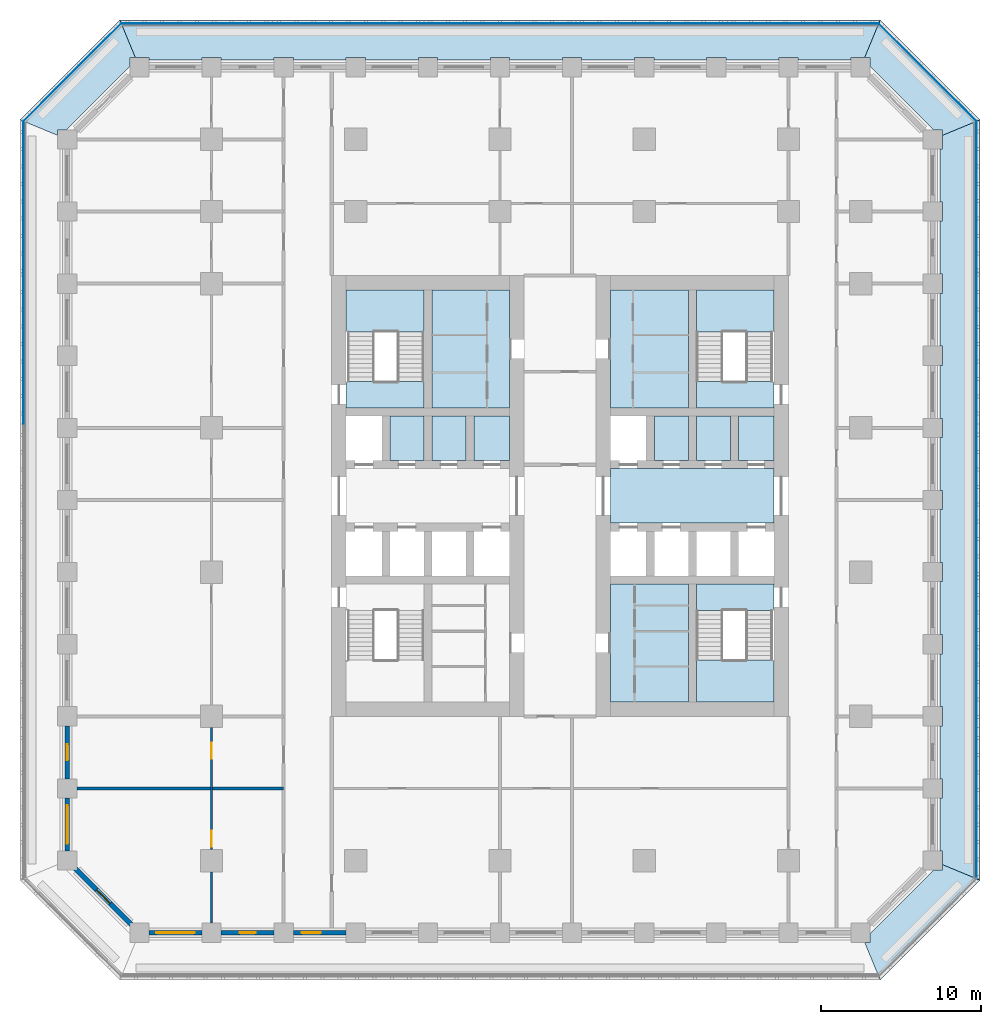
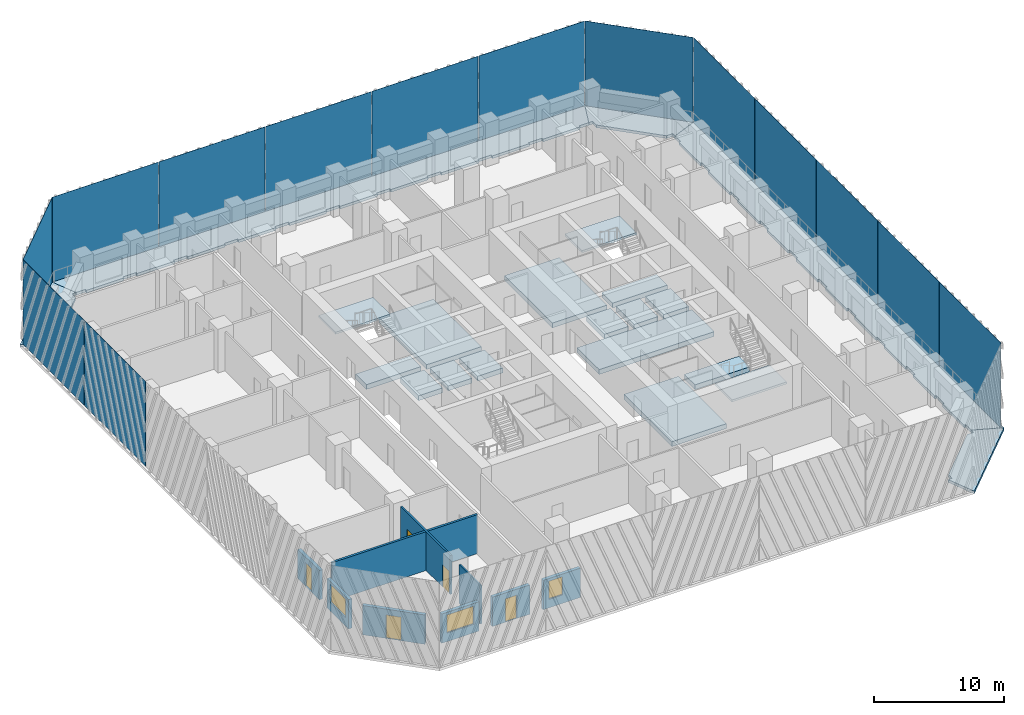
# One storey, part 2 of 19: 21 slabs, 14 plates, 9 walls, 5 doors, 3 windows, 8 openings, 3 elements without a shape of their own.
"""IFC4 building model written with IfcOpenShell, lengths in metres."""

from ifc_helpers import new_model, si_unit, direction, frame, frame_2d, origin, origin_2d, place, context, subcontext, project, spatial, polyline, rectangle, outline, extrude, material, layer, layer_set, type_object, element, fill, aggregate, save


model = new_model("IFC4")

# Units and contexts
model_context = context("Model", 3, precision=1e-05, world=origin(), true_north=direction((0.0, 1.0)))
body_context = subcontext(model_context, "Body", "Model", "MODEL_VIEW")
ifc_project = project(units=[si_unit("LENGTHUNIT", "METRE"), si_unit("AREAUNIT", "SQUARE_METRE"), si_unit("VOLUMEUNIT", "CUBIC_METRE"), si_unit("PLANEANGLEUNIT", "RADIAN"), si_unit("MASSUNIT", "GRAM", prefix="KILO")], contexts=[model_context])

# Site, building, storey
site_placement = place(None, origin())
site = spatial("IfcSite", under=ifc_project, at=site_placement, CompositionType="ELEMENT")
building_placement = place(site_placement, origin())
building = spatial("IfcBuilding", under=site, at=building_placement, Name="Corbel Stack Research Tower", CompositionType="ELEMENT")
storey_placement = place(building_placement, frame((0.0, 0.0, 124.89990234375)))
storey = spatial("IfcBuildingStorey", under=building, at=storey_placement, Name="L28", CompositionType="ELEMENT", Elevation=124.89990234375)

# Plates
ifc_material_1 = material(Name="Fritted glass", Category="glass")
ifc_layer_1 = layer(ifc_material_1, 0.02490234375)
ifc_layer_set_1 = layer_set([ifc_layer_1], Name="Fritted glass")
plate_type = type_object("IfcPlateType", Name="Fritted glass panel 25", PredefinedType="SHEET", material=ifc_layer_set_1)
for number, where, z_axis, x_axis, name in (
    (1, (29.737548828125, -14.411376953125, 0.0), (0.0, 0.0, 1.0), (0.0, 1.0, 0.0), "Fritted glass L28 E1"),
    (2, (29.737548828125, -4.95556640625, 0.0), (0.0, 0.0, 1.0), (0.0, 1.0, 0.0), "Fritted glass L28 E2"),
    (3, (29.737548828125, 4.5, 0.0), (0.0, 0.0, 1.0), (0.0, 1.0, 0.0), "Fritted glass L28 E3"),
    (4, (29.737548828125, 13.95556640625, 0.0), (0.0, 0.0, 1.0), (0.0, 1.0, 0.0), "Fritted glass L28 E4"),
    (5, (29.737548828125, 23.411376953125, 0.0), (0.0, 0.0, 1.0), (0.0, 1.0, 0.0), "Fritted glass L28 E5"),
):
    element("IfcPlate", number, at=place(storey_placement, frame(where, z_axis=z_axis, x_axis=x_axis)), inside=storey, type_object=plate_type, Name=name, PredefinedType="SHEET", context=body_context, shape_type="SweptSolid", body=[
        extrude(rectangle(XDim=9.3955078125, YDim=0.02490234375, at=origin_2d()), origin(), (0.0, 0.0, 1.0), 7.949951171875),
    ])
plate_1_placement = place(storey_placement, frame((26.685791015625, 31.185791015625, 0.0), z_axis=(0.0, 0.0, 1.0), x_axis=(-0.707106781187, 0.707106781187, 0.0)))
element("IfcPlate", 6, at=plate_1_placement, inside=storey, type_object=plate_type, Name="Fritted glass L28 NE1", PredefinedType="SHEET", context=body_context, shape_type="SweptSolid", body=[
    extrude(rectangle(XDim=8.58203125, YDim=0.02490234375, at=origin_2d()), origin(), (0.0, 0.0, 1.0), 7.949951171875),
])
for number, where, z_axis, x_axis, name in (
    (7, (18.911376953125, 34.237548828125, 0.0), (0.0, 0.0, 1.0), (-1.0, 0.0, 0.0), "Fritted glass L28 N1"),
    (8, (9.45556640625, 34.237548828125, 0.0), (0.0, 0.0, 1.0), (-1.0, 0.0, 0.0), "Fritted glass L28 N2"),
    (9, (0.0, 34.237548828125, 0.0), (0.0, 0.0, 1.0), (-1.0, 0.0, 0.0), "Fritted glass L28 N3"),
    (10, (-9.45556640625, 34.237548828125, 0.0), (0.0, 0.0, 1.0), (-1.0, 0.0, 0.0), "Fritted glass L28 N4"),
    (11, (-18.911376953125, 34.237548828125, 0.0), (0.0, 0.0, 1.0), (-1.0, 0.0, 0.0), "Fritted glass L28 N5"),
):
    element("IfcPlate", number, at=place(storey_placement, frame(where, z_axis=z_axis, x_axis=x_axis)), inside=storey, type_object=plate_type, Name=name, PredefinedType="SHEET", context=body_context, shape_type="SweptSolid", body=[
        extrude(rectangle(XDim=9.3955078125, YDim=0.02490234375, at=origin_2d()), origin(), (0.0, 0.0, 1.0), 7.949951171875),
    ])
plate_2_placement = place(storey_placement, frame((-26.685791015625, 31.185791015625, 0.0), z_axis=(0.0, 0.0, 1.0), x_axis=(-0.707106781187, -0.707106781187, 0.0)))
element("IfcPlate", 12, at=plate_2_placement, inside=storey, type_object=plate_type, Name="Fritted glass L28 NW1", PredefinedType="SHEET", context=body_context, shape_type="SweptSolid", body=[
    extrude(rectangle(XDim=8.58203125, YDim=0.02490234375, at=origin_2d()), origin(), (0.0, 0.0, 1.0), 7.949951171875),
])
for number, where, z_axis, x_axis, name in (
    (13, (-29.737548828125, 23.411376953125, 0.0), (0.0, 0.0, 1.0), (0.0, -1.0, 0.0), "Fritted glass L28 W1"),
    (14, (-29.737548828125, 13.95556640625, 0.0), (0.0, 0.0, 1.0), (0.0, -1.0, 0.0), "Fritted glass L28 W2"),
):
    element("IfcPlate", number, at=place(storey_placement, frame(where, z_axis=z_axis, x_axis=x_axis)), inside=storey, type_object=plate_type, Name=name, PredefinedType="SHEET", context=body_context, shape_type="SweptSolid", body=[
        extrude(rectangle(XDim=9.3955078125, YDim=0.02490234375, at=origin_2d()), origin(), (0.0, 0.0, 1.0), 7.949951171875),
    ])

# Slabs
ifc_material_2 = material(Name="Concrete C45/55", Category="concrete")
ifc_layer_2 = layer(ifc_material_2, 0.25)
ifc_layer_set_2 = layer_set([ifc_layer_2], Name="Concrete C45/55")
slab_type_1 = type_object("IfcSlabType", Name="PT balcony slab 250 C45/55", PredefinedType="FLOOR", material=ifc_layer_set_2)
slab_1_placement = place(storey_placement, frame((0.0, 0.0, -0.25)))
element("IfcSlab", 15, at=slab_1_placement, inside=storey, type_object=slab_type_1, Name="Loggia slab L28 SE", PredefinedType="FLOOR", context=body_context, shape_type="SweptSolid", body=[
    extrude(outline(polyline([(27.60009765625, -18.24853515625), (27.60009765625, -18.60009765625), (27.036376953125, -18.60009765625), (23.10009765625, -22.536376953125), (23.10009765625, -23.10009765625), (22.74853515625, -23.10009765625), (23.721923828125, -25.449951171875), (29.949951171875, -19.221923828125), (27.60009765625, -18.24853515625)])), origin(), (0.0, 0.0, 1.0), 0.25),
])
slab_2_placement = place(storey_placement, frame((0.0, 0.0, -0.25)))
element("IfcSlab", 16, at=slab_2_placement, inside=storey, type_object=slab_type_1, Name="Loggia slab L28 E", PredefinedType="FLOOR", context=body_context, shape_type="SweptSolid", body=[
    extrude(outline(polyline([(27.60009765625, 27.24853515625), (27.60009765625, 26.39990234375), (27.449951171875, 26.39990234375), (27.449951171875, 23.10009765625), (27.60009765625, 23.10009765625), (27.60009765625, 21.89990234375), (27.449951171875, 21.89990234375), (27.449951171875, 18.60009765625), (27.60009765625, 18.60009765625), (27.60009765625, 17.39990234375), (27.449951171875, 17.39990234375), (27.449951171875, 14.10009765625), (27.60009765625, 14.10009765625), (27.60009765625, 12.89990234375), (27.449951171875, 12.89990234375), (27.449951171875, 9.60009765625), (27.60009765625, 9.60009765625), (27.60009765625, 8.39990234375), (27.449951171875, 8.39990234375), (27.449951171875, 5.10009765625), (27.60009765625, 5.10009765625), (27.60009765625, 3.89990234375), (27.449951171875, 3.89990234375), (27.449951171875, 0.60009765625), (27.60009765625, 0.60009765625), (27.60009765625, -0.60009765625), (27.449951171875, -0.60009765625), (27.449951171875, -3.89990234375), (27.60009765625, -3.89990234375), (27.60009765625, -5.10009765625), (27.449951171875, -5.10009765625), (27.449951171875, -8.39990234375), (27.60009765625, -8.39990234375), (27.60009765625, -9.60009765625), (27.449951171875, -9.60009765625), (27.449951171875, -12.89990234375), (27.60009765625, -12.89990234375), (27.60009765625, -14.10009765625), (27.449951171875, -14.10009765625), (27.449951171875, -17.39990234375), (27.60009765625, -17.39990234375), (27.60009765625, -18.24853515625), (29.949951171875, -19.221923828125), (29.949951171875, 28.221923828125), (27.60009765625, 27.24853515625)])), origin(), (0.0, 0.0, 1.0), 0.25),
])
slab_3_placement = place(storey_placement, frame((0.0, 0.0, -0.25)))
element("IfcSlab", 17, at=slab_3_placement, inside=storey, type_object=slab_type_1, Name="Loggia slab L28 NE", PredefinedType="FLOOR", context=body_context, shape_type="SweptSolid", body=[
    extrude(outline(polyline([(22.74853515625, 32.10009765625), (23.10009765625, 32.10009765625), (23.10009765625, 31.536376953125), (27.036376953125, 27.60009765625), (27.60009765625, 27.60009765625), (27.60009765625, 27.24853515625), (29.949951171875, 28.221923828125), (23.721923828125, 34.449951171875), (22.74853515625, 32.10009765625)])), origin(), (0.0, 0.0, 1.0), 0.25),
])
slab_4_placement = place(storey_placement, frame((0.0, 0.0, -0.25)))
element("IfcSlab", 18, at=slab_4_placement, inside=storey, type_object=slab_type_1, Name="Loggia slab L28 N", PredefinedType="FLOOR", context=body_context, shape_type="SweptSolid", body=[
    extrude(outline(polyline([(-22.74853515625, 32.10009765625), (-21.89990234375, 32.10009765625), (-21.89990234375, 31.949951171875), (-18.60009765625, 31.949951171875), (-18.60009765625, 32.10009765625), (-17.39990234375, 32.10009765625), (-17.39990234375, 31.949951171875), (-14.10009765625, 31.949951171875), (-14.10009765625, 32.10009765625), (-12.89990234375, 32.10009765625), (-12.89990234375, 31.949951171875), (-9.60009765625, 31.949951171875), (-9.60009765625, 32.10009765625), (-8.39990234375, 32.10009765625), (-8.39990234375, 31.949951171875), (-5.10009765625, 31.949951171875), (-5.10009765625, 32.10009765625), (-3.89990234375, 32.10009765625), (-3.89990234375, 31.949951171875), (-0.60009765625, 31.949951171875), (-0.60009765625, 32.10009765625), (0.60009765625, 32.10009765625), (0.60009765625, 31.949951171875), (3.89990234375, 31.949951171875), (3.89990234375, 32.10009765625), (5.10009765625, 32.10009765625), (5.10009765625, 31.949951171875), (8.39990234375, 31.949951171875), (8.39990234375, 32.10009765625), (9.60009765625, 32.10009765625), (9.60009765625, 31.949951171875), (12.89990234375, 31.949951171875), (12.89990234375, 32.10009765625), (14.10009765625, 32.10009765625), (14.10009765625, 31.949951171875), (17.39990234375, 31.949951171875), (17.39990234375, 32.10009765625), (18.60009765625, 32.10009765625), (18.60009765625, 31.949951171875), (21.89990234375, 31.949951171875), (21.89990234375, 32.10009765625), (22.74853515625, 32.10009765625), (23.721923828125, 34.449951171875), (-23.721923828125, 34.449951171875), (-22.74853515625, 32.10009765625)])), origin(), (0.0, 0.0, 1.0), 0.25),
])
slab_5_placement = place(storey_placement, frame((0.0, 0.0, -0.25)))
element("IfcSlab", 19, at=slab_5_placement, inside=storey, type_object=slab_type_1, Name="Loggia slab L28 NW", PredefinedType="FLOOR", context=body_context, shape_type="SweptSolid", body=[
    extrude(outline(polyline([(-27.60009765625, 27.24853515625), (-27.60009765625, 27.60009765625), (-27.036376953125, 27.60009765625), (-23.10009765625, 31.536376953125), (-23.10009765625, 32.10009765625), (-22.74853515625, 32.10009765625), (-23.721923828125, 34.449951171875), (-29.949951171875, 28.221923828125), (-27.60009765625, 27.24853515625)])), origin(), (0.0, 0.0, 1.0), 0.25),
])
ifc_material_3 = material(Name="Concrete C45/55", Category="concrete")
ifc_layer_3 = layer(ifc_material_3, 0.449951171875)
ifc_layer_set_3 = layer_set([ifc_layer_3], Name="Concrete C45/55")
slab_type_2 = type_object("IfcSlabType", Name="PT-450", PredefinedType="FLOOR", material=ifc_layer_set_3)
slab_6_placement = place(storey_placement, frame((0.0, 0.0, -0.449951171875)))
element("IfcSlab", 20, at=slab_6_placement, inside=storey, type_object=slab_type_2, Name="West core floor L28", PredefinedType="FLOOR", context=body_context, shape_type="SweptSolid", body=[
    extrude(outline(polyline([(-6.875, 6.949951171875), (-4.75, 6.949951171875), (-4.75, 9.75), (-6.875, 9.75), (-6.875, 6.949951171875)])), origin(), (0.0, 0.0, 1.0), 0.449951171875),
])
slab_7_placement = place(storey_placement, frame((0.0, 0.0, -0.449951171875)))
element("IfcSlab", 21, at=slab_7_placement, inside=storey, type_object=slab_type_2, Name="West core floor L28", PredefinedType="FLOOR", context=body_context, shape_type="SweptSolid", body=[
    extrude(outline(polyline([(-2.125, 6.949951171875), (-2.125, 9.75), (-4.25, 9.75), (-4.25, 6.949951171875), (-2.125, 6.949951171875)])), origin(), (0.0, 0.0, 1.0), 0.449951171875),
])
slab_8_placement = place(storey_placement, frame((0.0, 0.0, -0.449951171875)))
element("IfcSlab", 22, at=slab_8_placement, inside=storey, type_object=slab_type_2, Name="West core floor L28", PredefinedType="FLOOR", context=body_context, shape_type="SweptSolid", body=[
    extrude(outline(polyline([(0.60009765625, 17.60009765625), (-4.25, 17.60009765625), (-4.25, 10.25), (0.60009765625, 10.25), (0.60009765625, 17.60009765625)])), origin(), (0.0, 0.0, 1.0), 0.449951171875),
])
slab_9_placement = place(storey_placement, frame((0.0, 0.0, -0.449951171875)))
element("IfcSlab", 23, at=slab_9_placement, inside=storey, type_object=slab_type_2, Name="West core floor L28", PredefinedType="FLOOR", context=body_context, shape_type="SweptSolid", body=[
    extrude(outline(polyline([(0.60009765625, 9.75), (-1.625, 9.75), (-1.625, 6.949951171875), (0.60009765625, 6.949951171875), (0.60009765625, 9.75)])), origin(), (0.0, 0.0, 1.0), 0.449951171875),
])
slab_10_placement = place(storey_placement, frame((0.0, 0.0, -0.449951171875)))
element("IfcSlab", 24, at=slab_10_placement, inside=storey, type_object=slab_type_2, Name="East core floor L28", PredefinedType="FLOOR", context=body_context, shape_type="SweptSolid", body=[
    extrude(outline(polyline([(11.75, -0.75), (6.89990234375, -0.75), (6.89990234375, -8.10009765625), (11.75, -8.10009765625), (11.75, -0.75)])), origin(), (0.0, 0.0, 1.0), 0.449951171875),
])
slab_11_placement = place(storey_placement, frame((0.0, 0.0, -0.449951171875)))
element("IfcSlab", 25, at=slab_11_placement, inside=storey, type_object=slab_type_2, Name="East core floor L28", PredefinedType="FLOOR", context=body_context, shape_type="SweptSolid", body=[
    extrude(outline(polyline([(6.89990234375, 6.449951171875), (6.89990234375, 3.050048828125), (17.10009765625, 3.050048828125), (17.10009765625, 6.449951171875), (6.89990234375, 6.449951171875)])), origin(), (0.0, 0.0, 1.0), 0.449951171875),
])
slab_12_placement = place(storey_placement, frame((0.0, 0.0, -0.449951171875)))
element("IfcSlab", 26, at=slab_12_placement, inside=storey, type_object=slab_type_2, Name="East core floor L28", PredefinedType="FLOOR", context=body_context, shape_type="SweptSolid", body=[
    extrude(outline(polyline([(6.89990234375, 17.60009765625), (6.89990234375, 10.25), (11.75, 10.25), (11.75, 17.60009765625), (6.89990234375, 17.60009765625)])), origin(), (0.0, 0.0, 1.0), 0.449951171875),
])
slab_13_placement = place(storey_placement, frame((0.0, 0.0, -0.449951171875)))
element("IfcSlab", 27, at=slab_13_placement, inside=storey, type_object=slab_type_2, Name="East core floor L28", PredefinedType="FLOOR", context=body_context, shape_type="SweptSolid", body=[
    extrude(outline(polyline([(9.625, 6.949951171875), (11.75, 6.949951171875), (11.75, 9.75), (9.625, 9.75), (9.625, 6.949951171875)])), origin(), (0.0, 0.0, 1.0), 0.449951171875),
])
slab_14_placement = place(storey_placement, frame((0.0, 0.0, -0.449951171875)))
element("IfcSlab", 28, at=slab_14_placement, inside=storey, type_object=slab_type_2, Name="East core floor L28", PredefinedType="FLOOR", context=body_context, shape_type="SweptSolid", body=[
    extrude(outline(polyline([(14.375, 6.949951171875), (14.375, 9.75), (12.25, 9.75), (12.25, 6.949951171875), (14.375, 6.949951171875)])), origin(), (0.0, 0.0, 1.0), 0.449951171875),
])
slab_15_placement = place(storey_placement, frame((0.0, 0.0, -0.449951171875)))
element("IfcSlab", 29, at=slab_15_placement, inside=storey, type_object=slab_type_2, Name="East core floor L28", PredefinedType="FLOOR", context=body_context, shape_type="SweptSolid", body=[
    extrude(outline(polyline([(17.10009765625, 6.949951171875), (17.10009765625, 9.75), (14.875, 9.75), (14.875, 6.949951171875), (17.10009765625, 6.949951171875)])), origin(), (0.0, 0.0, 1.0), 0.449951171875),
])
slab_16_placement = place(storey_placement, frame((0.0, 0.0, -0.449951171875)))
element("IfcSlab", 30, at=slab_16_placement, inside=storey, type_object=slab_type_2, Name="Stair floor landing ST-W2", PredefinedType="FLOOR", context=body_context, shape_type="SweptSolid", body=[
    extrude(outline(polyline([(-9.60009765625, 10.25), (-4.75, 10.25), (-4.75, 11.89990234375), (-9.60009765625, 11.89990234375), (-9.60009765625, 10.25)])), origin(), (0.0, 0.0, 1.0), 0.449951171875),
])
slab_17_placement = place(storey_placement, frame((0.0, 0.0, -0.449951171875)))
element("IfcSlab", 31, at=slab_17_placement, inside=storey, type_object=slab_type_2, Name="Stair floor landing ST-E1", PredefinedType="FLOOR", context=body_context, shape_type="SweptSolid", body=[
    extrude(outline(polyline([(12.25, -2.39990234375), (17.10009765625, -2.39990234375), (17.10009765625, -0.75), (12.25, -0.75), (12.25, -2.39990234375)])), origin(), (0.0, 0.0, 1.0), 0.449951171875),
])
slab_18_placement = place(storey_placement, frame((0.0, 0.0, -0.449951171875)))
element("IfcSlab", 32, at=slab_18_placement, inside=storey, type_object=slab_type_2, Name="Stair floor landing ST-E2", PredefinedType="FLOOR", context=body_context, shape_type="SweptSolid", body=[
    extrude(outline(polyline([(12.25, 10.25), (17.10009765625, 10.25), (17.10009765625, 11.89990234375), (12.25, 11.89990234375), (12.25, 10.25)])), origin(), (0.0, 0.0, 1.0), 0.449951171875),
])

# Stair, slab
ifc_material_4 = material(Name="Concrete C40/50", Category="concrete")
stair_type = type_object("IfcStairType", Name="Exit stair 24 risers", PredefinedType="HALF_TURN_STAIR", material=ifc_material_4)
stair_1_placement = place(storey_placement, origin())
stair_1 = element("IfcStair", 33, at=stair_1_placement, inside=storey, type_object=stair_type, Name="L28 Exit stair ST-W2", PredefinedType="HALF_TURN_STAIR")
ifc_material_5 = material(Name="Concrete C40/50", Category="concrete")
ifc_layer_4 = layer(ifc_material_5, 0.199951171875)
ifc_layer_set_4 = layer_set([ifc_layer_4], Name="Concrete C40/50")
slab_type_3 = type_object("IfcSlabType", Name="Stair landing 200 C40/50", PredefinedType="LANDING", material=ifc_layer_set_4)
slab_19_placement = place(storey_placement, frame((0.0, 0.0, 1.85009765625)))
slab_19 = element("IfcSlab", 34, at=slab_19_placement, type_object=slab_type_3, Name="ST-W2 landing 1", PredefinedType="LANDING", context=body_context, shape_type="SweptSolid", body=[
    extrude(outline(polyline([(-9.60009765625, 14.97998046875), (-9.60009765625, 17.60009765625), (-4.75, 17.60009765625), (-4.75, 14.97998046875), (-9.60009765625, 14.97998046875)])), origin(), (0.0, 0.0, 1.0), 0.199951171875),
])
aggregate(stair_1, [slab_19])

stair_2_placement = place(storey_placement, origin())
stair_2 = element("IfcStair", 35, at=stair_2_placement, inside=storey, type_object=stair_type, Name="L28 Exit stair ST-E1", PredefinedType="HALF_TURN_STAIR")
slab_20_placement = place(storey_placement, frame((0.0, 0.0, 1.85009765625)))
slab_20 = element("IfcSlab", 36, at=slab_20_placement, type_object=slab_type_3, Name="ST-E1 landing 1", PredefinedType="LANDING", context=body_context, shape_type="SweptSolid", body=[
    extrude(outline(polyline([(12.25, -8.10009765625), (12.25, -5.47998046875), (17.10009765625, -5.47998046875), (17.10009765625, -8.10009765625), (12.25, -8.10009765625)])), origin(), (0.0, 0.0, 1.0), 0.199951171875),
])
aggregate(stair_2, [slab_20])

stair_3_placement = place(storey_placement, origin())
stair_3 = element("IfcStair", 37, at=stair_3_placement, inside=storey, type_object=stair_type, Name="L28 Exit stair ST-E2", PredefinedType="HALF_TURN_STAIR")
slab_21_placement = place(storey_placement, frame((0.0, 0.0, 1.85009765625)))
slab_21 = element("IfcSlab", 38, at=slab_21_placement, type_object=slab_type_3, Name="ST-E2 landing 1", PredefinedType="LANDING", context=body_context, shape_type="SweptSolid", body=[
    extrude(outline(polyline([(12.25, 14.97998046875), (12.25, 17.60009765625), (17.10009765625, 17.60009765625), (17.10009765625, 14.97998046875), (12.25, 14.97998046875)])), origin(), (0.0, 0.0, 1.0), 0.199951171875),
])
aggregate(stair_3, [slab_21])

# Walls
ifc_material_6 = material(Name="Fire-rated gypsum board partition on steel studs", Category="steel")
ifc_layer_5 = layer(ifc_material_6, 0.199951171875)
ifc_layer_set_5 = layer_set([ifc_layer_5], Name="Fire-rated gypsum board partition on steel studs")
wall_type_1 = type_object("IfcWallType", Name="Fire-rated partition 200 EI 60", PredefinedType="PARTITIONING", material=ifc_layer_set_5)
wall_1_placement = place(storey_placement, frame((-26.39990234375, -13.5, 0.0), z_axis=(0.0, 0.0, 1.0), x_axis=(1.0, 0.0, 0.0)))
element("IfcWall", 39, at=wall_1_placement, inside=storey, type_object=wall_type_1, Name="Partition L28-026", PredefinedType="PARTITIONING", context=body_context, shape_type="SweptSolid", body=[
    extrude(rectangle(XDim=12.89990234375, YDim=0.199951171875, at=frame_2d((6.449951171875, 0.0))), origin(), (0.0, 0.0, 1.0), 3.650146484375),
])
ifc_material_7 = material(Name="Gypsum board partition on steel studs", Category="steel")
ifc_layer_6 = layer(ifc_material_7, 0.14990234375)
ifc_layer_set_6 = layer_set([ifc_layer_6], Name="Gypsum board partition on steel studs")
wall_type_2 = type_object("IfcWallType", Name="Partition 150", PredefinedType="PARTITIONING", material=ifc_layer_set_6)
wall_2_placement = place(storey_placement, frame((-18.0, -21.89990234375, 0.0), z_axis=(0.0, 0.0, 1.0), x_axis=(0.0, 1.0, 0.0)))
element("IfcWall", 40, at=wall_2_placement, inside=storey, type_object=wall_type_2, Name="Partition L28-001", PredefinedType="PARTITIONING", context=body_context, shape_type="SweptSolid", body=[
    extrude(rectangle(XDim=3.199951171875, YDim=0.14990234375, at=frame_2d((1.60009765625, 0.0))), origin(), (0.0, 0.0, 1.0), 3.650146484375),
])

# Wall, openings, doors
wall_3_placement = place(storey_placement, frame((-18.0, -17.300048828125, 0.0), z_axis=(0.0, 0.0, 1.0), x_axis=(0.0, 1.0, 0.0)))
wall_3 = element("IfcWall", 41, at=wall_3_placement, inside=storey, type_object=wall_type_2, Name="Partition L28-002", PredefinedType="PARTITIONING", context=body_context, shape_type="SweptSolid", body=[
    extrude(rectangle(XDim=7.60009765625, YDim=0.14990234375, at=frame_2d((3.800048828125, 0.0))), origin(), (0.0, 0.0, 1.0), 3.650146484375),
])
opening_1_placement = place(wall_3_placement, frame((0.14990234375, 0.0, 0.0)))
opening_1 = element("IfcOpeningElement", 42, at=opening_1_placement, cuts=wall_3, Name="Opening B4V1-001", PredefinedType="OPENING", context=body_context, shape_type="SweptSolid", body=[
    extrude(rectangle(XDim=1.0, YDim=2.10009765625, at=frame_2d((0.5, 1.050048828125))), frame((0.0, 0.0849609375, 0.0), z_axis=(0.0, -1.0, 0.0), x_axis=(1.0, 0.0, 0.0)), (0.0, 0.0, 1.0), 0.169921875),
])
opening_2_placement = place(wall_3_placement, frame((5.64990234375, 0.0, 0.0)))
opening_2 = element("IfcOpeningElement", 43, at=opening_2_placement, cuts=wall_3, Name="Opening B4V1-002", PredefinedType="OPENING", context=body_context, shape_type="SweptSolid", body=[
    extrude(rectangle(XDim=1.0, YDim=2.10009765625, at=frame_2d((0.5, 1.050048828125))), frame((0.0, 0.0849609375, 0.0), z_axis=(0.0, -1.0, 0.0), x_axis=(1.0, 0.0, 0.0)), (0.0, 0.0, 1.0), 0.169921875),
])
ifc_material_8 = material(Name="Painted timber door", Category="wood")
door_type_1 = type_object("IfcDoorType", Name="Single door 1000 x 2100", OperationType="NOTDEFINED", PredefinedType="DOOR", material=ifc_material_8)
door_1_placement = place(opening_1_placement, origin())
door_1 = element("IfcDoor", 44, at=door_1_placement, inside=storey, type_object=door_type_1, Name="Door B4V1-001", OperationType="SINGLE_SWING_LEFT", OverallHeight=2.10009765625, OverallWidth=1.0, PredefinedType="DOOR", context=body_context, shape_type="SweptSolid", body=[
    extrude(rectangle(XDim=1.0, YDim=2.10009765625, at=frame_2d((0.5, 1.050048828125))), frame((0.0, 0.02490234375, 0.0), z_axis=(0.0, -1.0, 0.0), x_axis=(1.0, 0.0, 0.0)), (0.0, 0.0, 1.0), 0.050048828125),
])
fill(opening_1, door_1)
door_2_placement = place(opening_2_placement, origin())
door_2 = element("IfcDoor", 45, at=door_2_placement, inside=storey, type_object=door_type_1, Name="Door B4V1-002", OperationType="SINGLE_SWING_RIGHT", OverallHeight=2.10009765625, OverallWidth=1.0, PredefinedType="DOOR", context=body_context, shape_type="SweptSolid", body=[
    extrude(rectangle(XDim=1.0, YDim=2.10009765625, at=frame_2d((0.5, 1.050048828125))), frame((0.0, 0.02490234375, 0.0), z_axis=(0.0, -1.0, 0.0), x_axis=(1.0, 0.0, 0.0)), (0.0, 0.0, 1.0), 0.050048828125),
])
fill(opening_2, door_2)

# Wall, opening, window
ifc_material_9 = material(Name="Concrete C45/55", Category="concrete")
ifc_layer_7 = layer(ifc_material_9, 0.300048828125)
ifc_layer_set_7 = layer_set([ifc_layer_7], Name="Concrete C45/55")
wall_type_3 = type_object("IfcWallType", Name="Terracotta-faced concrete wall 300", PredefinedType="SOLIDWALL", material=ifc_layer_set_7)
wall_4_placement = place(storey_placement, frame((-18.60009765625, -22.5, 0.0), z_axis=(0.0, 0.0, 1.0), x_axis=(-1.0, 0.0, 0.0)))
wall_4 = element("IfcWall", 46, at=wall_4_placement, inside=storey, type_object=wall_type_3, Name="Facade wall L28 S01", PredefinedType="SOLIDWALL", context=body_context, shape_type="SweptSolid", body=[
    extrude(rectangle(XDim=3.2998046875, YDim=0.300048828125, at=frame_2d((1.64990234375, 0.0))), origin(), (0.0, 0.0, 1.0), 2.75),
])
opening_3_placement = place(wall_4_placement, frame((0.449951171875, 0.0, 0.800048828125)))
opening_3 = element("IfcOpeningElement", 47, at=opening_3_placement, cuts=wall_4, Name="Opening W1", PredefinedType="OPENING", context=body_context, shape_type="SweptSolid", body=[
    extrude(rectangle(XDim=2.39990234375, YDim=1.699951171875, at=frame_2d((1.199951171875, 0.85009765625))), frame((0.0, 0.159912109375, 0.0), z_axis=(0.0, -1.0, 0.0), x_axis=(1.0, 0.0, 0.0)), (0.0, 0.0, 1.0), 0.320068359375),
])
ifc_material_10 = material(Name="Aluminium frame, clear double glazing", Category="aluminium")
window_type_1 = type_object("IfcWindowType", Name="Window W1 2400 x 1700", PartitioningType="SINGLE_PANEL", PredefinedType="WINDOW", material=ifc_material_10)
window_1_placement = place(opening_3_placement, origin())
window_1 = element("IfcWindow", 48, at=window_1_placement, inside=storey, type_object=window_type_1, Name="Window W1 L28 S01", OverallHeight=1.699951171875, OverallWidth=2.39990234375, PartitioningType="SINGLE_PANEL", PredefinedType="WINDOW", context=body_context, shape_type="SweptSolid", body=[
    extrude(rectangle(XDim=2.39990234375, YDim=1.699951171875, at=frame_2d((1.199951171875, 0.85009765625))), frame((0.0, 0.030029296875, 0.0), z_axis=(0.0, -1.0, 0.0), x_axis=(1.0, 0.0, 0.0)), (0.0, 0.0, 1.0), 0.06005859375),
])
fill(opening_3, window_1)

# Wall, opening, door
wall_5_placement = place(storey_placement, frame((-14.10009765625, -22.5, 0.0), z_axis=(0.0, 0.0, 1.0), x_axis=(-1.0, 0.0, 0.0)))
wall_5 = element("IfcWall", 49, at=wall_5_placement, inside=storey, type_object=wall_type_3, Name="Facade wall L28 S02", PredefinedType="SOLIDWALL", context=body_context, shape_type="SweptSolid", body=[
    extrude(rectangle(XDim=3.2998046875, YDim=0.300048828125, at=frame_2d((1.64990234375, 0.0))), origin(), (0.0, 0.0, 1.0), 2.75),
])
opening_4_placement = place(wall_5_placement, frame((1.14990234375, 0.0, 0.0)))
opening_4 = element("IfcOpeningElement", 50, at=opening_4_placement, cuts=wall_5, Name="Opening L28-B01", PredefinedType="OPENING", context=body_context, shape_type="SweptSolid", body=[
    extrude(rectangle(XDim=1.0, YDim=2.199951171875, at=frame_2d((0.5, 1.10009765625))), frame((0.0, 0.159912109375, 0.0), z_axis=(0.0, -1.0, 0.0), x_axis=(1.0, 0.0, 0.0)), (0.0, 0.0, 1.0), 0.320068359375),
])
ifc_material_11 = material(Name="Aluminium frame, clear double glazing", Category="aluminium")
door_type_2 = type_object("IfcDoorType", Name="Balcony door BD1 1000 x 2200", OperationType="NOTDEFINED", PredefinedType="DOOR", material=ifc_material_11)
door_3_placement = place(opening_4_placement, origin())
door_3 = element("IfcDoor", 51, at=door_3_placement, inside=storey, type_object=door_type_2, Name="Balcony door L28-B01", OperationType="SINGLE_SWING_RIGHT", OverallHeight=2.199951171875, OverallWidth=1.0, PredefinedType="DOOR", context=body_context, shape_type="SweptSolid", body=[
    extrude(rectangle(XDim=1.0, YDim=2.199951171875, at=frame_2d((0.5, 1.10009765625))), frame((0.0, 0.02490234375, 0.0), z_axis=(0.0, -1.0, 0.0), x_axis=(1.0, 0.0, 0.0)), (0.0, 0.0, 1.0), 0.050048828125),
])
fill(opening_4, door_3)

# Wall, opening, window
wall_6_placement = place(storey_placement, frame((-9.60009765625, -22.5, 0.0), z_axis=(0.0, 0.0, 1.0), x_axis=(-1.0, 0.0, 0.0)))
wall_6 = element("IfcWall", 52, at=wall_6_placement, inside=storey, type_object=wall_type_3, Name="Facade wall L28 S03", PredefinedType="SOLIDWALL", context=body_context, shape_type="SweptSolid", body=[
    extrude(rectangle(XDim=3.2998046875, YDim=0.300048828125, at=frame_2d((1.64990234375, 0.0))), origin(), (0.0, 0.0, 1.0), 2.75),
])
opening_5_placement = place(wall_6_placement, frame((1.574951171875, 0.0, 0.800048828125)))
opening_5 = element("IfcOpeningElement", 53, at=opening_5_placement, cuts=wall_6, Name="Opening W2", PredefinedType="OPENING", context=body_context, shape_type="SweptSolid", body=[
    extrude(rectangle(XDim=1.199951171875, YDim=1.699951171875, at=frame_2d((0.60009765625, 0.85009765625))), frame((0.0, 0.159912109375, 0.0), z_axis=(0.0, -1.0, 0.0), x_axis=(1.0, 0.0, 0.0)), (0.0, 0.0, 1.0), 0.320068359375),
])
ifc_material_12 = material(Name="Aluminium frame, clear double glazing", Category="aluminium")
window_type_2 = type_object("IfcWindowType", Name="Window W2 1200 x 1700", PartitioningType="SINGLE_PANEL", PredefinedType="WINDOW", material=ifc_material_12)
window_2_placement = place(opening_5_placement, origin())
window_2 = element("IfcWindow", 54, at=window_2_placement, inside=storey, type_object=window_type_2, Name="Window W2 L28 S03", OverallHeight=1.699951171875, OverallWidth=1.199951171875, PartitioningType="SINGLE_PANEL", PredefinedType="WINDOW", context=body_context, shape_type="SweptSolid", body=[
    extrude(rectangle(XDim=1.199951171875, YDim=1.699951171875, at=frame_2d((0.60009765625, 0.85009765625))), frame((0.0, 0.030029296875, 0.0), z_axis=(0.0, -1.0, 0.0), x_axis=(1.0, 0.0, 0.0)), (0.0, 0.0, 1.0), 0.06005859375),
])
fill(opening_5, window_2)

# Wall, opening, door
wall_7_placement = place(storey_placement, frame((-27.0, -12.89990234375, 0.0), z_axis=(0.0, 0.0, 1.0), x_axis=(0.0, 1.0, 0.0)))
wall_7 = element("IfcWall", 55, at=wall_7_placement, inside=storey, type_object=wall_type_3, Name="Facade wall L28 W09", PredefinedType="SOLIDWALL", context=body_context, shape_type="SweptSolid", body=[
    extrude(rectangle(XDim=3.2998046875, YDim=0.300048828125, at=frame_2d((1.64990234375, 0.0))), origin(), (0.0, 0.0, 1.0), 2.75),
])
opening_6_placement = place(wall_7_placement, frame((1.14990234375, 0.0, 0.0)))
opening_6 = element("IfcOpeningElement", 56, at=opening_6_placement, cuts=wall_7, Name="Opening L28-B11", PredefinedType="OPENING", context=body_context, shape_type="SweptSolid", body=[
    extrude(rectangle(XDim=1.0, YDim=2.199951171875, at=frame_2d((0.5, 1.10009765625))), frame((0.0, 0.159912109375, 0.0), z_axis=(0.0, -1.0, 0.0), x_axis=(1.0, 0.0, 0.0)), (0.0, 0.0, 1.0), 0.320068359375),
])
door_4_placement = place(opening_6_placement, origin())
door_4 = element("IfcDoor", 57, at=door_4_placement, inside=storey, type_object=door_type_2, Name="Balcony door L28-B11", OperationType="SINGLE_SWING_LEFT", OverallHeight=2.199951171875, OverallWidth=1.0, PredefinedType="DOOR", context=body_context, shape_type="SweptSolid", body=[
    extrude(rectangle(XDim=1.0, YDim=2.199951171875, at=frame_2d((0.5, 1.10009765625))), frame((0.0, 0.02490234375, 0.0), z_axis=(0.0, -1.0, 0.0), x_axis=(1.0, 0.0, 0.0)), (0.0, 0.0, 1.0), 0.050048828125),
])
fill(opening_6, door_4)

# Wall, opening, window
wall_8_placement = place(storey_placement, frame((-27.0, -17.39990234375, 0.0), z_axis=(0.0, 0.0, 1.0), x_axis=(0.0, 1.0, 0.0)))
wall_8 = element("IfcWall", 58, at=wall_8_placement, inside=storey, type_object=wall_type_3, Name="Facade wall L28 W10", PredefinedType="SOLIDWALL", context=body_context, shape_type="SweptSolid", body=[
    extrude(rectangle(XDim=3.2998046875, YDim=0.300048828125, at=frame_2d((1.64990234375, 0.0))), origin(), (0.0, 0.0, 1.0), 2.75),
])
opening_7_placement = place(wall_8_placement, frame((0.449951171875, 0.0, 0.800048828125)))
opening_7 = element("IfcOpeningElement", 59, at=opening_7_placement, cuts=wall_8, Name="Opening W1", PredefinedType="OPENING", context=body_context, shape_type="SweptSolid", body=[
    extrude(rectangle(XDim=2.39990234375, YDim=1.699951171875, at=frame_2d((1.199951171875, 0.85009765625))), frame((0.0, 0.159912109375, 0.0), z_axis=(0.0, -1.0, 0.0), x_axis=(1.0, 0.0, 0.0)), (0.0, 0.0, 1.0), 0.320068359375),
])
window_3_placement = place(opening_7_placement, origin())
window_3 = element("IfcWindow", 60, at=window_3_placement, inside=storey, type_object=window_type_1, Name="Window W1 L28 W10", OverallHeight=1.699951171875, OverallWidth=2.39990234375, PartitioningType="SINGLE_PANEL", PredefinedType="WINDOW", context=body_context, shape_type="SweptSolid", body=[
    extrude(rectangle(XDim=2.39990234375, YDim=1.699951171875, at=frame_2d((1.199951171875, 0.85009765625))), frame((0.0, 0.030029296875, 0.0), z_axis=(0.0, -1.0, 0.0), x_axis=(1.0, 0.0, 0.0)), (0.0, 0.0, 1.0), 0.06005859375),
])
fill(opening_7, window_3)

# Wall, opening, door
wall_9_placement = place(storey_placement, frame((-22.993896484375, -22.006103515625, 0.0), z_axis=(0.0, 0.0, 1.0), x_axis=(-0.707106781187, 0.707106781187, 0.0)))
wall_9 = element("IfcWall", 61, at=wall_9_placement, inside=storey, type_object=wall_type_3, Name="Facade wall L28 SW01", PredefinedType="SOLIDWALL", context=body_context, shape_type="SweptSolid", body=[
    extrude(rectangle(XDim=4.967041015625, YDim=0.300048828125, at=frame_2d((2.4833984375, 0.0))), origin(), (0.0, 0.0, 1.0), 2.75),
])
opening_8_placement = place(wall_9_placement, frame((1.883544921875, 0.0, 0.0)))
opening_8 = element("IfcOpeningElement", 62, at=opening_8_placement, cuts=wall_9, Name="Opening L28-B12", PredefinedType="OPENING", context=body_context, shape_type="SweptSolid", body=[
    extrude(rectangle(XDim=1.199951171875, YDim=2.199951171875, at=frame_2d((0.60009765625, 1.10009765625))), frame((0.0, 0.159912109375, 0.0), z_axis=(0.0, -1.0, 0.0), x_axis=(1.0, 0.0, 0.0)), (0.0, 0.0, 1.0), 0.320068359375),
])
ifc_material_13 = material(Name="Aluminium frame, clear double glazing", Category="aluminium")
door_type_3 = type_object("IfcDoorType", Name="Balcony door BD2 1200 x 2200", OperationType="NOTDEFINED", PredefinedType="DOOR", material=ifc_material_13)
door_5_placement = place(opening_8_placement, origin())
door_5 = element("IfcDoor", 63, at=door_5_placement, inside=storey, type_object=door_type_3, Name="Balcony door L28-B12", OperationType="SINGLE_SWING_LEFT", OverallHeight=2.199951171875, OverallWidth=1.199951171875, PredefinedType="DOOR", context=body_context, shape_type="SweptSolid", body=[
    extrude(rectangle(XDim=1.199951171875, YDim=2.199951171875, at=frame_2d((0.60009765625, 1.10009765625))), frame((0.0, 0.02490234375, 0.0), z_axis=(0.0, -1.0, 0.0), x_axis=(1.0, 0.0, 0.0)), (0.0, 0.0, 1.0), 0.050048828125),
])
fill(opening_8, door_5)

save(model, "model.ifc")
